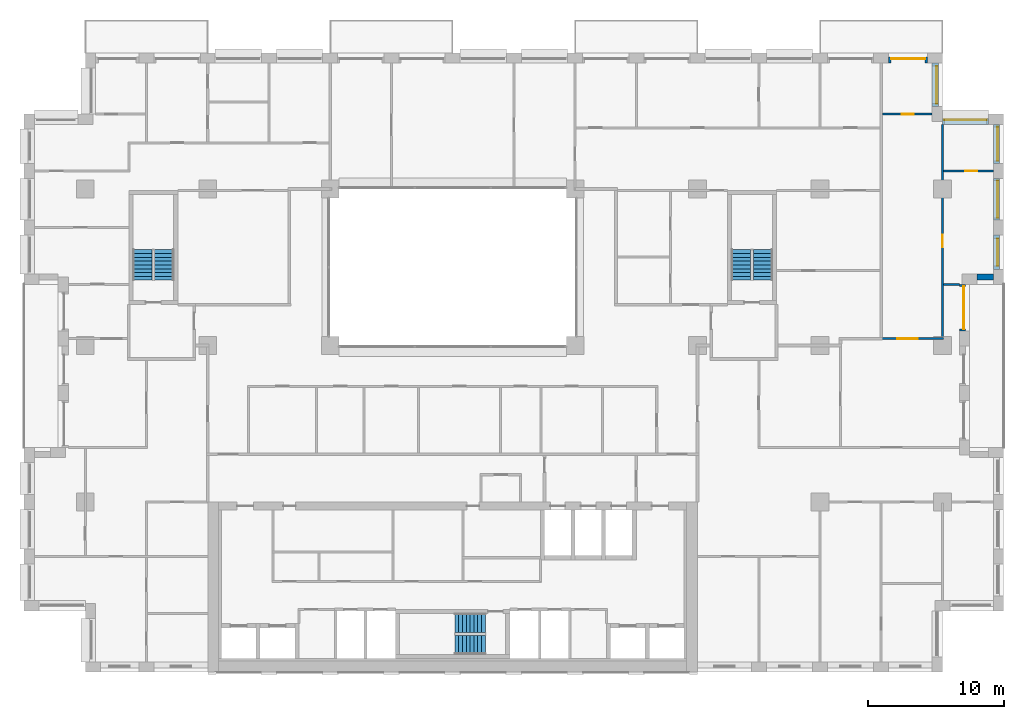
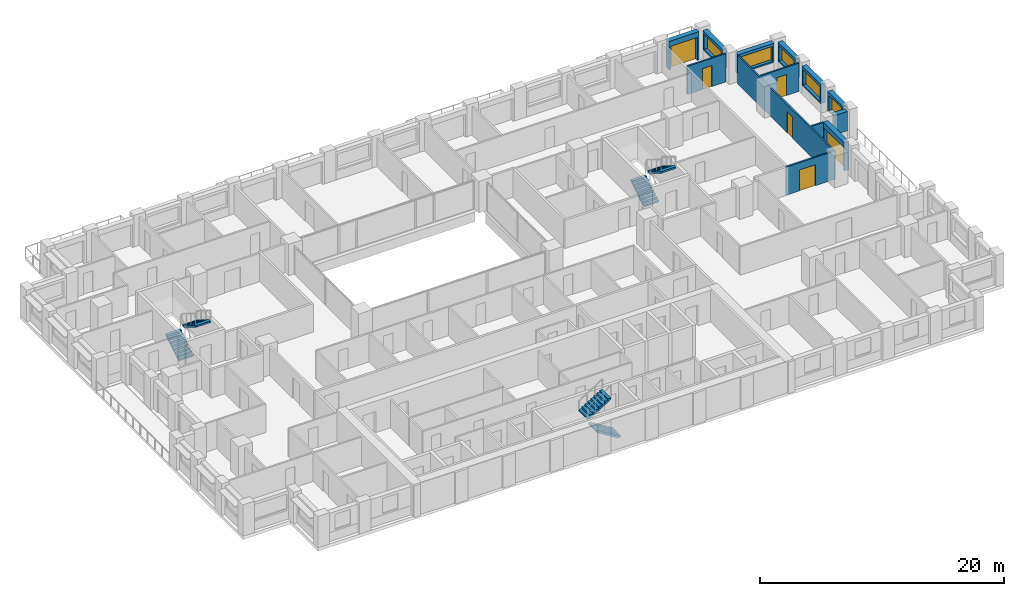
# One storey, part 15 of 16: 13 walls, 6 doors, 6 stair flights, 5 windows, 11 openings, 3 elements without a shape of their own.
"""IFC4 building model written with IfcOpenShell, lengths in metres."""

from ifc_helpers import new_model, si_unit, direction, frame, frame_2d, origin, place, context, subcontext, project, spatial, polyline, rectangle, outline, extrude, material, layer, layer_set, type_object, element, fill, aggregate, save


model = new_model("IFC4")

# Units and contexts
model_context = context("Model", 3, precision=1e-05, world=origin(), true_north=direction((0.0, 1.0)))
body_context = subcontext(model_context, "Body", "Model", "MODEL_VIEW")
ifc_project = project(units=[si_unit("LENGTHUNIT", "METRE"), si_unit("AREAUNIT", "SQUARE_METRE"), si_unit("VOLUMEUNIT", "CUBIC_METRE"), si_unit("PLANEANGLEUNIT", "RADIAN"), si_unit("MASSUNIT", "GRAM", prefix="KILO")], contexts=[model_context])

# Site, building, storey
site_placement = place(None, origin())
site = spatial("IfcSite", under=ifc_project, at=site_placement, CompositionType="ELEMENT")
building_placement = place(site_placement, origin())
building = spatial("IfcBuilding", under=site, at=building_placement, Name="Brigalow Station Residences", CompositionType="ELEMENT")
storey_placement = place(building_placement, frame((0.0, 0.0, 93.0)))
storey = spatial("IfcBuildingStorey", under=building, at=storey_placement, Name="L26", CompositionType="ELEMENT", Elevation=93.0)

# Wall, opening, door
ifc_material_1 = material(Name="Clay brick masonry", Category="masonry")
ifc_layer_1 = layer(ifc_material_1, 0.449951171875)
ifc_layer_set_1 = layer_set([ifc_layer_1], Name="BRICK INFILL WALL 450")
wall_type_1 = type_object("IfcWallType", Name="BRICK INFILL WALL 450", PredefinedType="SOLIDWALL", material=ifc_layer_set_1)
wall_1_placement = place(storey_placement, frame((73.47509765625, 25.050048828125, 0.0), z_axis=(0.0, 0.0, 1.0), x_axis=(0.0, 1.0, 0.0)))
wall_1 = element("IfcWall", 1, at=wall_1_placement, inside=storey, type_object=wall_type_1, Name="L26/ewall/W-L26-16", PredefinedType="SOLIDWALL", context=body_context, shape_type="SweptSolid", body=[
    extrude(rectangle(XDim=3.449951171875, YDim=0.449951171875, at=frame_2d((1.72509765625, 0.0))), origin(), (0.0, 0.0, 1.0), 2.830078125),
])
opening_1_placement = place(wall_1_placement, frame((0.14990234375, 0.0, 0.0)))
opening_1 = element("IfcOpeningElement", 2, at=opening_1_placement, cuts=wall_1, Name="Opening D-B3150", PredefinedType="OPENING", context=body_context, shape_type="SweptSolid", body=[
    extrude(rectangle(XDim=3.14990234375, YDim=2.300048828125, at=frame_2d((1.574951171875, 1.14990234375))), frame((0.0, 0.23486328125, 0.0), z_axis=(0.0, -1.0, 0.0), x_axis=(1.0, 0.0, 0.0)), (0.0, 0.0, 1.0), 0.469970703125),
])
ifc_material_2 = material(Name="Anodised aluminium frame with double glazing", Category="aluminium")
door_type_1 = type_object("IfcDoorType", Name="BALCONY SLIDING DOOR 3150x2300", OperationType="SLIDING_TO_LEFT", PredefinedType="DOOR", material=ifc_material_2)
door_1_placement = place(opening_1_placement, origin())
door_1 = element("IfcDoor", 3, at=door_1_placement, inside=storey, type_object=door_type_1, Name="L26/balcony-door/W-L26-16", OperationType="SLIDING_TO_LEFT", OverallHeight=2.300048828125, OverallWidth=3.14990234375, PredefinedType="DOOR", context=body_context, shape_type="SweptSolid", body=[
    extrude(rectangle(XDim=3.14990234375, YDim=2.300048828125, at=frame_2d((1.574951171875, 1.14990234375))), frame((0.0, -0.06982421875, 0.0), z_axis=(0.0, -1.0, 0.0), x_axis=(1.0, 0.0, 0.0)), (0.0, 0.0, 1.0), 0.050048828125),
])
fill(opening_1, door_1)

# Wall
wall_2_placement = place(storey_placement, frame((74.550048828125, 29.02490234375, 0.89990234375), z_axis=(0.0, 0.0, 1.0), x_axis=(1.0, 0.0, 0.0)))
element("IfcWall", 4, at=wall_2_placement, inside=storey, type_object=wall_type_1, Name="L26/ewall/W-L26-17", PredefinedType="SOLIDWALL", context=body_context, shape_type="SweptSolid", body=[
    extrude(rectangle(XDim=1.199951171875, YDim=0.449951171875, at=frame_2d((0.60009765625, 0.0))), origin(), (0.0, 0.0, 1.0), 1.93017578125),
])

# Wall, opening, window
wall_3_placement = place(storey_placement, frame((75.97509765625, 29.60009765625, 0.89990234375), z_axis=(0.0, 0.0, 1.0), x_axis=(0.0, 1.0, 0.0)))
wall_3 = element("IfcWall", 5, at=wall_3_placement, inside=storey, type_object=wall_type_1, Name="L26/ewall/W-L26-18", PredefinedType="SOLIDWALL", context=body_context, shape_type="SweptSolid", body=[
    extrude(rectangle(XDim=2.516845703125, YDim=0.449951171875, at=frame_2d((1.25830078125, 0.0))), origin(), (0.0, 0.0, 1.0), 1.93017578125),
])
opening_2_placement = place(wall_3_placement, frame((0.258544921875, 0.0, 0.14990234375)))
opening_2 = element("IfcOpeningElement", 6, at=opening_2_placement, cuts=wall_3, Name="Opening WT-7", PredefinedType="OPENING", context=body_context, shape_type="SweptSolid", body=[
    extrude(rectangle(XDim=2.0, YDim=1.5, at=frame_2d((1.0, 0.75))), frame((0.0, 0.23486328125, 0.0), z_axis=(0.0, -1.0, 0.0), x_axis=(1.0, 0.0, 0.0)), (0.0, 0.0, 1.0), 0.469970703125),
])
ifc_material_3 = material(Name="Anodised aluminium frame with double glazing", Category="aluminium")
window_type_1 = type_object("IfcWindowType", Name="WINDOW 2000x1500", PartitioningType="SINGLE_PANEL", PredefinedType="WINDOW", material=ifc_material_3)
window_1_placement = place(opening_2_placement, origin())
window_1 = element("IfcWindow", 7, at=window_1_placement, inside=storey, type_object=window_type_1, Name="L26/window/W-L26-18", OverallHeight=1.5, OverallWidth=2.0, PartitioningType="SINGLE_PANEL", PredefinedType="WINDOW", context=body_context, shape_type="SweptSolid", body=[
    extrude(rectangle(XDim=2.0, YDim=1.5, at=frame_2d((1.0, 0.75))), frame((0.0, -0.06494140625, 0.0), z_axis=(0.0, -1.0, 0.0), x_axis=(1.0, 0.0, 0.0)), (0.0, 0.0, 1.0), 0.06005859375),
])
fill(opening_2, window_1)

wall_4_placement = place(storey_placement, frame((75.97509765625, 33.217041015625, 0.89990234375), z_axis=(0.0, 0.0, 1.0), x_axis=(0.0, 1.0, 0.0)))
wall_4 = element("IfcWall", 8, at=wall_4_placement, inside=storey, type_object=wall_type_1, Name="L26/ewall/W-L26-19", PredefinedType="SOLIDWALL", context=body_context, shape_type="SweptSolid", body=[
    extrude(rectangle(XDim=3.06591796875, YDim=0.449951171875, at=frame_2d((1.532958984375, 0.0))), origin(), (0.0, 0.0, 1.0), 1.93017578125),
])
opening_3_placement = place(wall_4_placement, frame((0.157958984375, 0.0, 0.14990234375)))
opening_3 = element("IfcOpeningElement", 9, at=opening_3_placement, cuts=wall_4, Name="Opening WT-3", PredefinedType="OPENING", context=body_context, shape_type="SweptSolid", body=[
    extrude(rectangle(XDim=2.75, YDim=1.5, at=frame_2d((1.375, 0.75))), frame((0.0, 0.23486328125, 0.0), z_axis=(0.0, -1.0, 0.0), x_axis=(1.0, 0.0, 0.0)), (0.0, 0.0, 1.0), 0.469970703125),
])
ifc_material_4 = material(Name="Anodised aluminium frame with double glazing", Category="aluminium")
window_type_2 = type_object("IfcWindowType", Name="WINDOW 2750x1500", PartitioningType="SINGLE_PANEL", PredefinedType="WINDOW", material=ifc_material_4)
window_2_placement = place(opening_3_placement, origin())
window_2 = element("IfcWindow", 10, at=window_2_placement, inside=storey, type_object=window_type_2, Name="L26/window/W-L26-19", OverallHeight=1.5, OverallWidth=2.75, PartitioningType="SINGLE_PANEL", PredefinedType="WINDOW", context=body_context, shape_type="SweptSolid", body=[
    extrude(rectangle(XDim=2.75, YDim=1.5, at=frame_2d((1.375, 0.75))), frame((0.0, -0.06494140625, 0.0), z_axis=(0.0, -1.0, 0.0), x_axis=(1.0, 0.0, 0.0)), (0.0, 0.0, 1.0), 0.06005859375),
])
fill(opening_3, window_2)

wall_5_placement = place(storey_placement, frame((75.97509765625, 37.383056640625, 0.89990234375), z_axis=(0.0, 0.0, 1.0), x_axis=(0.0, 1.0, 0.0)))
wall_5 = element("IfcWall", 11, at=wall_5_placement, inside=storey, type_object=wall_type_1, Name="L26/ewall/W-L26-20", PredefinedType="SOLIDWALL", context=body_context, shape_type="SweptSolid", body=[
    extrude(rectangle(XDim=2.866943359375, YDim=0.449951171875, at=frame_2d((1.43359375, 0.0))), origin(), (0.0, 0.0, 1.0), 1.93017578125),
])
opening_4_placement = place(wall_5_placement, frame((0.18359375, 0.0, 0.14990234375)))
opening_4 = element("IfcOpeningElement", 12, at=opening_4_placement, cuts=wall_5, Name="Opening WT-5", PredefinedType="OPENING", context=body_context, shape_type="SweptSolid", body=[
    extrude(rectangle(XDim=2.5, YDim=1.5, at=frame_2d((1.25, 0.75))), frame((0.0, 0.23486328125, 0.0), z_axis=(0.0, -1.0, 0.0), x_axis=(1.0, 0.0, 0.0)), (0.0, 0.0, 1.0), 0.469970703125),
])
ifc_material_5 = material(Name="Anodised aluminium frame with double glazing", Category="aluminium")
window_type_3 = type_object("IfcWindowType", Name="WINDOW 2500x1500", PartitioningType="SINGLE_PANEL", PredefinedType="WINDOW", material=ifc_material_5)
window_3_placement = place(opening_4_placement, origin())
window_3 = element("IfcWindow", 13, at=window_3_placement, inside=storey, type_object=window_type_3, Name="L26/window/W-L26-20", OverallHeight=1.5, OverallWidth=2.5, PartitioningType="SINGLE_PANEL", PredefinedType="WINDOW", context=body_context, shape_type="SweptSolid", body=[
    extrude(rectangle(XDim=2.5, YDim=1.5, at=frame_2d((1.25, 0.75))), frame((0.0, -0.06494140625, 0.0), z_axis=(0.0, -1.0, 0.0), x_axis=(1.0, 0.0, 0.0)), (0.0, 0.0, 1.0), 0.06005859375),
])
fill(opening_4, window_3)

wall_6_placement = place(storey_placement, frame((75.39990234375, 40.47509765625, 0.89990234375), z_axis=(0.0, 0.0, 1.0), x_axis=(-1.0, 0.0, 0.0)))
wall_6 = element("IfcWall", 14, at=wall_6_placement, inside=storey, type_object=wall_type_1, Name="L26/ewall/W-L26-21", PredefinedType="SOLIDWALL", context=body_context, shape_type="SweptSolid", body=[
    extrude(rectangle(XDim=3.39990234375, YDim=0.449951171875, at=frame_2d((1.699951171875, 0.0))), origin(), (0.0, 0.0, 1.0), 1.93017578125),
])
opening_5_placement = place(wall_6_placement, frame((0.14990234375, 0.0, 0.14990234375)))
opening_5 = element("IfcOpeningElement", 15, at=opening_5_placement, cuts=wall_6, Name="Opening WT-8", PredefinedType="OPENING", context=body_context, shape_type="SweptSolid", body=[
    extrude(rectangle(XDim=3.10009765625, YDim=1.5, at=frame_2d((1.550048828125, 0.75))), frame((0.0, 0.23486328125, 0.0), z_axis=(0.0, -1.0, 0.0), x_axis=(1.0, 0.0, 0.0)), (0.0, 0.0, 1.0), 0.469970703125),
])
ifc_material_6 = material(Name="Anodised aluminium frame with double glazing", Category="aluminium")
window_type_4 = type_object("IfcWindowType", Name="WINDOW 3100x1500", PartitioningType="SINGLE_PANEL", PredefinedType="WINDOW", material=ifc_material_6)
window_4_placement = place(opening_5_placement, origin())
window_4 = element("IfcWindow", 16, at=window_4_placement, inside=storey, type_object=window_type_4, Name="L26/window/W-L26-21", OverallHeight=1.5, OverallWidth=3.10009765625, PartitioningType="SINGLE_PANEL", PredefinedType="WINDOW", context=body_context, shape_type="SweptSolid", body=[
    extrude(rectangle(XDim=3.10009765625, YDim=1.5, at=frame_2d((1.550048828125, 0.75))), frame((0.0, -0.06494140625, 0.0), z_axis=(0.0, -1.0, 0.0), x_axis=(1.0, 0.0, 0.0)), (0.0, 0.0, 1.0), 0.06005859375),
])
fill(opening_5, window_4)

wall_7_placement = place(storey_placement, frame((71.47509765625, 41.550048828125, 0.89990234375), z_axis=(0.0, 0.0, 1.0), x_axis=(0.0, 1.0, 0.0)))
wall_7 = element("IfcWall", 17, at=wall_7_placement, inside=storey, type_object=wall_type_1, Name="L26/ewall/W-L26-22", PredefinedType="SOLIDWALL", context=body_context, shape_type="SweptSolid", body=[
    extrude(rectangle(XDim=3.199951171875, YDim=0.449951171875, at=frame_2d((1.60009765625, 0.0))), origin(), (0.0, 0.0, 1.0), 1.93017578125),
])
opening_6_placement = place(wall_7_placement, frame((0.22509765625, 0.0, 0.14990234375)))
opening_6 = element("IfcOpeningElement", 18, at=opening_6_placement, cuts=wall_7, Name="Opening WT-3", PredefinedType="OPENING", context=body_context, shape_type="SweptSolid", body=[
    extrude(rectangle(XDim=2.75, YDim=1.5, at=frame_2d((1.375, 0.75))), frame((0.0, 0.23486328125, 0.0), z_axis=(0.0, -1.0, 0.0), x_axis=(1.0, 0.0, 0.0)), (0.0, 0.0, 1.0), 0.469970703125),
])
window_5_placement = place(opening_6_placement, origin())
window_5 = element("IfcWindow", 19, at=window_5_placement, inside=storey, type_object=window_type_2, Name="L26/window/W-L26-22", OverallHeight=1.5, OverallWidth=2.75, PartitioningType="SINGLE_PANEL", PredefinedType="WINDOW", context=body_context, shape_type="SweptSolid", body=[
    extrude(rectangle(XDim=2.75, YDim=1.5, at=frame_2d((1.375, 0.75))), frame((0.0, -0.06494140625, 0.0), z_axis=(0.0, -1.0, 0.0), x_axis=(1.0, 0.0, 0.0)), (0.0, 0.0, 1.0), 0.06005859375),
])
fill(opening_6, window_5)

# Wall, opening, door
wall_8_placement = place(storey_placement, frame((70.89990234375, 44.97509765625, 0.0), z_axis=(0.0, 0.0, 1.0), x_axis=(-1.0, 0.0, 0.0)))
wall_8 = element("IfcWall", 20, at=wall_8_placement, inside=storey, type_object=wall_type_1, Name="L26/ewall/W-L26-23", PredefinedType="SOLIDWALL", context=body_context, shape_type="SweptSolid", body=[
    extrude(rectangle(XDim=2.849853515625, YDim=0.449951171875, at=frame_2d((1.4248046875, 0.0))), origin(), (0.0, 0.0, 1.0), 2.830078125),
])
opening_7_placement = place(wall_8_placement, frame((0.175048828125, 0.0, 0.0)))
opening_7 = element("IfcOpeningElement", 21, at=opening_7_placement, cuts=wall_8, Name="Opening D-B2500", PredefinedType="OPENING", context=body_context, shape_type="SweptSolid", body=[
    extrude(rectangle(XDim=2.5, YDim=2.300048828125, at=frame_2d((1.25, 1.14990234375))), frame((0.0, 0.23486328125, 0.0), z_axis=(0.0, -1.0, 0.0), x_axis=(1.0, 0.0, 0.0)), (0.0, 0.0, 1.0), 0.469970703125),
])
ifc_material_7 = material(Name="Anodised aluminium frame with double glazing", Category="aluminium")
door_type_2 = type_object("IfcDoorType", Name="BALCONY SLIDING DOOR 2500x2300", OperationType="SLIDING_TO_LEFT", PredefinedType="DOOR", material=ifc_material_7)
door_2_placement = place(opening_7_placement, origin())
door_2 = element("IfcDoor", 22, at=door_2_placement, inside=storey, type_object=door_type_2, Name="L26/balcony-door/W-L26-23", OperationType="SLIDING_TO_LEFT", OverallHeight=2.300048828125, OverallWidth=2.5, PredefinedType="DOOR", context=body_context, shape_type="SweptSolid", body=[
    extrude(rectangle(XDim=2.5, YDim=2.300048828125, at=frame_2d((1.25, 1.14990234375))), frame((0.0, -0.06982421875, 0.0), z_axis=(0.0, -1.0, 0.0), x_axis=(1.0, 0.0, 0.0)), (0.0, 0.0, 1.0), 0.050048828125),
])
fill(opening_7, door_2)

ifc_material_8 = material(Name="Plasterboard on steel stud partition", Category="steel")
ifc_layer_2 = layer(ifc_material_8, 0.14990234375)
ifc_layer_set_2 = layer_set([ifc_layer_2], Name="FLAT PARTITION 150")
wall_type_2 = type_object("IfcWallType", Name="FLAT PARTITION 150", PredefinedType="PARTITIONING", material=ifc_layer_set_2)
wall_9_placement = place(storey_placement, frame((67.39990234375, 24.5, 0.0), z_axis=(0.0, 0.0, 1.0), x_axis=(1.0, 0.0, 0.0)))
wall_9 = element("IfcWall", 23, at=wall_9_placement, inside=storey, type_object=wall_type_2, Name="PW-2B19", PredefinedType="PARTITIONING", context=body_context, shape_type="SweptSolid", body=[
    extrude(rectangle(XDim=4.675048828125, YDim=0.14990234375, at=frame_2d((2.33740234375, 0.0))), origin(), (0.0, 0.0, 1.0), 2.830078125),
])
opening_8_placement = place(wall_9_placement, frame((1.27490234375, 0.0, 0.0)))
opening_8 = element("IfcOpeningElement", 24, at=opening_8_placement, cuts=wall_9, Name="Opening D-2B43", PredefinedType="OPENING", context=body_context, shape_type="SweptSolid", body=[
    extrude(rectangle(XDim=1.5, YDim=2.10009765625, at=frame_2d((0.75, 1.050048828125))), frame((0.0, 0.0849609375, 0.0), z_axis=(0.0, -1.0, 0.0), x_axis=(1.0, 0.0, 0.0)), (0.0, 0.0, 1.0), 0.169921875),
])
ifc_material_9 = material(Name="Solid-core timber door leaf", Category="wood")
door_type_3 = type_object("IfcDoorType", Name="INTERNAL DOUBLE DOOR 1500 x 2100", OperationType="DOUBLE_DOOR_SINGLE_SWING", PredefinedType="DOOR", material=ifc_material_9)
door_3_placement = place(opening_8_placement, origin())
door_3 = element("IfcDoor", 25, at=door_3_placement, inside=storey, type_object=door_type_3, Name="D-2B43", OperationType="DOUBLE_DOOR_SINGLE_SWING", OverallHeight=2.10009765625, OverallWidth=1.5, PredefinedType="DOOR", context=body_context, shape_type="SweptSolid", body=[
    extrude(rectangle(XDim=1.5, YDim=2.10009765625, at=frame_2d((0.75, 1.050048828125))), frame((0.0, 0.02490234375, 0.0), z_axis=(0.0, -1.0, 0.0), x_axis=(1.0, 0.0, 0.0)), (0.0, 0.0, 1.0), 0.050048828125),
])
fill(opening_8, door_3)

# Wall
wall_10_placement = place(storey_placement, frame((72.074951171875, 28.5, 0.0), z_axis=(0.0, 0.0, 1.0), x_axis=(1.0, 0.0, 0.0)))
element("IfcWall", 26, at=wall_10_placement, inside=storey, type_object=wall_type_2, Name="PW-2B22", PredefinedType="PARTITIONING", context=body_context, shape_type="SweptSolid", body=[
    extrude(rectangle(XDim=1.175048828125, YDim=0.14990234375, at=frame_2d((0.58740234375, 0.0))), origin(), (0.0, 0.0, 1.0), 2.830078125),
])

# Wall, opening, door
wall_11_placement = place(storey_placement, frame((72.074951171875, 36.8330078125, 0.0), z_axis=(0.0, 0.0, 1.0), x_axis=(1.0, 0.0, 0.0)))
wall_11 = element("IfcWall", 27, at=wall_11_placement, inside=storey, type_object=wall_type_2, Name="PW-2B25", PredefinedType="PARTITIONING", context=body_context, shape_type="SweptSolid", body=[
    extrude(rectangle(XDim=3.675048828125, YDim=0.14990234375, at=frame_2d((1.83740234375, 0.0))), origin(), (0.0, 0.0, 1.0), 2.830078125),
])
opening_9_placement = place(wall_11_placement, frame((1.60009765625, 0.0, 0.0)))
opening_9 = element("IfcOpeningElement", 28, at=opening_9_placement, cuts=wall_11, Name="Opening D-2B45", PredefinedType="OPENING", context=body_context, shape_type="SweptSolid", body=[
    extrude(rectangle(XDim=0.89990234375, YDim=2.10009765625, at=frame_2d((0.449951171875, 1.050048828125))), frame((0.0, 0.0849609375, 0.0), z_axis=(0.0, -1.0, 0.0), x_axis=(1.0, 0.0, 0.0)), (0.0, 0.0, 1.0), 0.169921875),
])
ifc_material_10 = material(Name="Solid-core timber door leaf", Category="wood")
door_type_4 = type_object("IfcDoorType", Name="INTERNAL DOOR 900 x 2100", OperationType="SINGLE_SWING_LEFT", PredefinedType="DOOR", material=ifc_material_10)
door_4_placement = place(opening_9_placement, origin())
door_4 = element("IfcDoor", 29, at=door_4_placement, inside=storey, type_object=door_type_4, Name="D-2B45", OperationType="SINGLE_SWING_RIGHT", OverallHeight=2.10009765625, OverallWidth=0.89990234375, PredefinedType="DOOR", context=body_context, shape_type="SweptSolid", body=[
    extrude(rectangle(XDim=0.89990234375, YDim=2.10009765625, at=frame_2d((0.449951171875, 1.050048828125))), frame((0.0, 0.02490234375, 0.0), z_axis=(0.0, -1.0, 0.0), x_axis=(1.0, 0.0, 0.0)), (0.0, 0.0, 1.0), 0.050048828125),
])
fill(opening_9, door_4)

wall_12_placement = place(storey_placement, frame((67.60009765625, 41.0, 0.0), z_axis=(0.0, 0.0, 1.0), x_axis=(1.0, 0.0, 0.0)))
wall_12 = element("IfcWall", 30, at=wall_12_placement, inside=storey, type_object=wall_type_2, Name="PW-2B31", PredefinedType="PARTITIONING", context=body_context, shape_type="SweptSolid", body=[
    extrude(rectangle(XDim=3.64990234375, YDim=0.14990234375, at=frame_2d((1.824951171875, 0.0))), origin(), (0.0, 0.0, 1.0), 2.830078125),
])
opening_10_placement = place(wall_12_placement, frame((1.39990234375, 0.0, 0.0)))
opening_10 = element("IfcOpeningElement", 31, at=opening_10_placement, cuts=wall_12, Name="Opening D-2B46", PredefinedType="OPENING", context=body_context, shape_type="SweptSolid", body=[
    extrude(rectangle(XDim=0.89990234375, YDim=2.10009765625, at=frame_2d((0.449951171875, 1.050048828125))), frame((0.0, 0.0849609375, 0.0), z_axis=(0.0, -1.0, 0.0), x_axis=(1.0, 0.0, 0.0)), (0.0, 0.0, 1.0), 0.169921875),
])
door_5_placement = place(opening_10_placement, origin())
door_5 = element("IfcDoor", 32, at=door_5_placement, inside=storey, type_object=door_type_4, Name="D-2B46", OperationType="SINGLE_SWING_RIGHT", OverallHeight=2.10009765625, OverallWidth=0.89990234375, PredefinedType="DOOR", context=body_context, shape_type="SweptSolid", body=[
    extrude(rectangle(XDim=0.89990234375, YDim=2.10009765625, at=frame_2d((0.449951171875, 1.050048828125))), frame((0.0, 0.02490234375, 0.0), z_axis=(0.0, -1.0, 0.0), x_axis=(1.0, 0.0, 0.0)), (0.0, 0.0, 1.0), 0.050048828125),
])
fill(opening_10, door_5)

wall_13_placement = place(storey_placement, frame((72.0, 24.574951171875, 0.0), z_axis=(0.0, 0.0, 1.0), x_axis=(0.0, 1.0, 0.0)))
wall_13 = element("IfcWall", 33, at=wall_13_placement, inside=storey, type_object=wall_type_2, Name="PW-2B68", PredefinedType="PARTITIONING", context=body_context, shape_type="SweptSolid", body=[
    extrude(rectangle(XDim=15.675048828125, YDim=0.14990234375, at=frame_2d((7.83740234375, 0.0))), origin(), (0.0, 0.0, 1.0), 2.830078125),
])
opening_11_placement = place(wall_13_placement, frame((6.64990234375, 0.0, 0.0)))
opening_11 = element("IfcOpeningElement", 34, at=opening_11_placement, cuts=wall_13, Name="Opening D-2B44", PredefinedType="OPENING", context=body_context, shape_type="SweptSolid", body=[
    extrude(rectangle(XDim=0.89990234375, YDim=2.10009765625, at=frame_2d((0.449951171875, 1.050048828125))), frame((0.0, 0.0849609375, 0.0), z_axis=(0.0, -1.0, 0.0), x_axis=(1.0, 0.0, 0.0)), (0.0, 0.0, 1.0), 0.169921875),
])
door_6_placement = place(opening_11_placement, frame((0.89990234375, 0.0, 0.0), z_axis=(0.0, 0.0, 1.0), x_axis=(-1.0, 0.0, 0.0)))
door_6 = element("IfcDoor", 35, at=door_6_placement, inside=storey, type_object=door_type_4, Name="D-2B44", OperationType="SINGLE_SWING_RIGHT", OverallHeight=2.10009765625, OverallWidth=0.89990234375, PredefinedType="DOOR", context=body_context, shape_type="SweptSolid", body=[
    extrude(rectangle(XDim=0.89990234375, YDim=2.10009765625, at=frame_2d((0.449951171875, 1.050048828125))), frame((0.0, 0.02490234375, 0.0), z_axis=(0.0, -1.0, 0.0), x_axis=(1.0, 0.0, 0.0)), (0.0, 0.0, 1.0), 0.050048828125),
])
fill(opening_11, door_6)

# Stair, stair flights
ifc_material_11 = material(Name="Concrete C50", Category="concrete")
stair_type = type_object("IfcStairType", Name="EXIT STAIR 1400 2 FLIGHT", PredefinedType="HALF_TURN_STAIR", material=ifc_material_11)
stair_1_placement = place(storey_placement, origin())
stair_1 = element("IfcStair", 36, at=stair_1_placement, inside=storey, type_object=stair_type, Name="EXIT STAIR S2 L26", PredefinedType="HALF_TURN_STAIR")
ifc_material_12 = material(Name="Concrete C50", Category="concrete")
stair_flight_type = type_object("IfcStairFlightType", Name="STAIR FLIGHT 1400", PredefinedType="STRAIGHT", material=ifc_material_12)
stair_flight_1_placement = place(storey_placement, frame((38.39990234375, 2.0, 0.0), z_axis=(0.0, 0.0, 1.0), x_axis=(-1.0, 0.0, 0.0)))
stair_flight_1 = element("IfcStairFlight", 37, at=stair_flight_1_placement, type_object=stair_flight_type, Name="ST-2 flight 1", NumberOfRisers=9, NumberOfTreads=8, PredefinedType="STRAIGHT", RiserHeight=0.175, TreadLength=0.28, context=body_context, shape_type="SweptSolid", body=[
    extrude(outline(polyline([(0.0, 0.0), (0.0, 0.175048828125), (0.280029296875, 0.175048828125), (0.280029296875, 0.35009765625), (0.56005859375, 0.35009765625), (0.56005859375, 0.52490234375), (0.840087890625, 0.52490234375), (0.840087890625, 0.699951171875), (1.1201171875, 0.699951171875), (1.1201171875, 0.875), (1.39990234375, 0.875), (1.39990234375, 1.050048828125), (1.679931640625, 1.050048828125), (1.679931640625, 1.22509765625), (1.9599609375, 1.22509765625), (1.9599609375, 1.39990234375), (2.239990234375, 1.39990234375), (2.239990234375, 1.574951171875), (2.239990234375, 1.22314453125), (0.28271484375, 0.0), (0.0, 0.0)])), frame((0.0, 0.699951171875, 0.0), z_axis=(0.0, -1.0, 0.0), x_axis=(1.0, 0.0, 0.0)), (0.0, 0.0, 1.0), 1.39990234375),
])
stair_flight_2_placement = place(storey_placement, frame((36.159912109375, 3.60009765625, 1.574951171875), z_axis=(0.0, 0.0, 1.0), x_axis=(1.0, 0.0, 0.0)))
stair_flight_2 = element("IfcStairFlight", 38, at=stair_flight_2_placement, type_object=stair_flight_type, Name="ST-2 flight 2", NumberOfRisers=9, NumberOfTreads=8, PredefinedType="STRAIGHT", RiserHeight=0.175, TreadLength=0.28, context=body_context, shape_type="SweptSolid", body=[
    extrude(outline(polyline([(0.0, 0.0), (0.0, 0.175048828125), (0.280029296875, 0.175048828125), (0.280029296875, 0.35009765625), (0.56005859375, 0.35009765625), (0.56005859375, 0.52490234375), (0.840087890625, 0.52490234375), (0.840087890625, 0.699951171875), (1.1201171875, 0.699951171875), (1.1201171875, 0.875), (1.39990234375, 0.875), (1.39990234375, 1.050048828125), (1.679931640625, 1.050048828125), (1.679931640625, 1.22509765625), (1.9599609375, 1.22509765625), (1.9599609375, 1.39990234375), (2.239990234375, 1.39990234375), (2.239990234375, 1.574951171875), (2.239990234375, 1.22314453125), (0.28271484375, 0.0), (0.0, 0.0)])), frame((0.0, 0.699951171875, 0.0), z_axis=(0.0, -1.0, 0.0), x_axis=(1.0, 0.0, 0.0)), (0.0, 0.0, 1.0), 1.39990234375),
])
aggregate(stair_1, [stair_flight_1, stair_flight_2])

stair_2_placement = place(storey_placement, origin())
stair_2 = element("IfcStair", 39, at=stair_2_placement, inside=storey, type_object=stair_type, Name="EXIT STAIR S1 L26", PredefinedType="HALF_TURN_STAIR")
stair_flight_3_placement = place(storey_placement, frame((13.199951171875, 28.800048828125, 0.0), z_axis=(0.0, 0.0, 1.0), x_axis=(0.0, 1.0, 0.0)))
stair_flight_3 = element("IfcStairFlight", 40, at=stair_flight_3_placement, type_object=stair_flight_type, Name="ST-1 flight 1", NumberOfRisers=9, NumberOfTreads=8, PredefinedType="STRAIGHT", RiserHeight=0.175, TreadLength=0.28, context=body_context, shape_type="SweptSolid", body=[
    extrude(outline(polyline([(0.0, 0.0), (0.0, 0.175048828125), (0.280029296875, 0.175048828125), (0.280029296875, 0.35009765625), (0.56005859375, 0.35009765625), (0.56005859375, 0.52490234375), (0.840087890625, 0.52490234375), (0.840087890625, 0.699951171875), (1.1201171875, 0.699951171875), (1.1201171875, 0.875), (1.39990234375, 0.875), (1.39990234375, 1.050048828125), (1.679931640625, 1.050048828125), (1.679931640625, 1.22509765625), (1.9599609375, 1.22509765625), (1.9599609375, 1.39990234375), (2.239990234375, 1.39990234375), (2.239990234375, 1.574951171875), (2.239990234375, 1.22314453125), (0.28271484375, 0.0), (0.0, 0.0)])), frame((0.0, 0.699951171875, 0.0), z_axis=(0.0, -1.0, 0.0), x_axis=(1.0, 0.0, 0.0)), (0.0, 0.0, 1.0), 1.39990234375),
])
stair_flight_4_placement = place(storey_placement, frame((14.800048828125, 31.0400390625, 1.574951171875), z_axis=(0.0, 0.0, 1.0), x_axis=(0.0, -1.0, 0.0)))
stair_flight_4 = element("IfcStairFlight", 41, at=stair_flight_4_placement, type_object=stair_flight_type, Name="ST-1 flight 2", NumberOfRisers=9, NumberOfTreads=8, PredefinedType="STRAIGHT", RiserHeight=0.175, TreadLength=0.28, context=body_context, shape_type="SweptSolid", body=[
    extrude(outline(polyline([(0.0, 0.0), (0.0, 0.175048828125), (0.280029296875, 0.175048828125), (0.280029296875, 0.35009765625), (0.56005859375, 0.35009765625), (0.56005859375, 0.52490234375), (0.840087890625, 0.52490234375), (0.840087890625, 0.699951171875), (1.1201171875, 0.699951171875), (1.1201171875, 0.875), (1.39990234375, 0.875), (1.39990234375, 1.050048828125), (1.679931640625, 1.050048828125), (1.679931640625, 1.22509765625), (1.9599609375, 1.22509765625), (1.9599609375, 1.39990234375), (2.239990234375, 1.39990234375), (2.239990234375, 1.574951171875), (2.239990234375, 1.22314453125), (0.28271484375, 0.0), (0.0, 0.0)])), frame((0.0, 0.699951171875, 0.0), z_axis=(0.0, -1.0, 0.0), x_axis=(1.0, 0.0, 0.0)), (0.0, 0.0, 1.0), 1.39990234375),
])
aggregate(stair_2, [stair_flight_3, stair_flight_4])

stair_3_placement = place(storey_placement, origin())
stair_3 = element("IfcStair", 42, at=stair_3_placement, inside=storey, type_object=stair_type, Name="EXIT STAIR S3 L26", PredefinedType="HALF_TURN_STAIR")
stair_flight_5_placement = place(storey_placement, frame((57.199951171875, 28.800048828125, 0.0), z_axis=(0.0, 0.0, 1.0), x_axis=(0.0, 1.0, 0.0)))
stair_flight_5 = element("IfcStairFlight", 43, at=stair_flight_5_placement, type_object=stair_flight_type, Name="ST-3 flight 1", NumberOfRisers=9, NumberOfTreads=8, PredefinedType="STRAIGHT", RiserHeight=0.175, TreadLength=0.28, context=body_context, shape_type="SweptSolid", body=[
    extrude(outline(polyline([(0.0, 0.0), (0.0, 0.175048828125), (0.280029296875, 0.175048828125), (0.280029296875, 0.35009765625), (0.56005859375, 0.35009765625), (0.56005859375, 0.52490234375), (0.840087890625, 0.52490234375), (0.840087890625, 0.699951171875), (1.1201171875, 0.699951171875), (1.1201171875, 0.875), (1.39990234375, 0.875), (1.39990234375, 1.050048828125), (1.679931640625, 1.050048828125), (1.679931640625, 1.22509765625), (1.9599609375, 1.22509765625), (1.9599609375, 1.39990234375), (2.239990234375, 1.39990234375), (2.239990234375, 1.574951171875), (2.239990234375, 1.22314453125), (0.28271484375, 0.0), (0.0, 0.0)])), frame((0.0, 0.699951171875, 0.0), z_axis=(0.0, -1.0, 0.0), x_axis=(1.0, 0.0, 0.0)), (0.0, 0.0, 1.0), 1.39990234375),
])
stair_flight_6_placement = place(storey_placement, frame((58.800048828125, 31.0400390625, 1.574951171875), z_axis=(0.0, 0.0, 1.0), x_axis=(0.0, -1.0, 0.0)))
stair_flight_6 = element("IfcStairFlight", 44, at=stair_flight_6_placement, type_object=stair_flight_type, Name="ST-3 flight 2", NumberOfRisers=9, NumberOfTreads=8, PredefinedType="STRAIGHT", RiserHeight=0.175, TreadLength=0.28, context=body_context, shape_type="SweptSolid", body=[
    extrude(outline(polyline([(0.0, 0.0), (0.0, 0.175048828125), (0.280029296875, 0.175048828125), (0.280029296875, 0.35009765625), (0.56005859375, 0.35009765625), (0.56005859375, 0.52490234375), (0.840087890625, 0.52490234375), (0.840087890625, 0.699951171875), (1.1201171875, 0.699951171875), (1.1201171875, 0.875), (1.39990234375, 0.875), (1.39990234375, 1.050048828125), (1.679931640625, 1.050048828125), (1.679931640625, 1.22509765625), (1.9599609375, 1.22509765625), (1.9599609375, 1.39990234375), (2.239990234375, 1.39990234375), (2.239990234375, 1.574951171875), (2.239990234375, 1.22314453125), (0.28271484375, 0.0), (0.0, 0.0)])), frame((0.0, 0.699951171875, 0.0), z_axis=(0.0, -1.0, 0.0), x_axis=(1.0, 0.0, 0.0)), (0.0, 0.0, 1.0), 1.39990234375),
])
aggregate(stair_3, [stair_flight_5, stair_flight_6])

save(model, "model.ifc")
